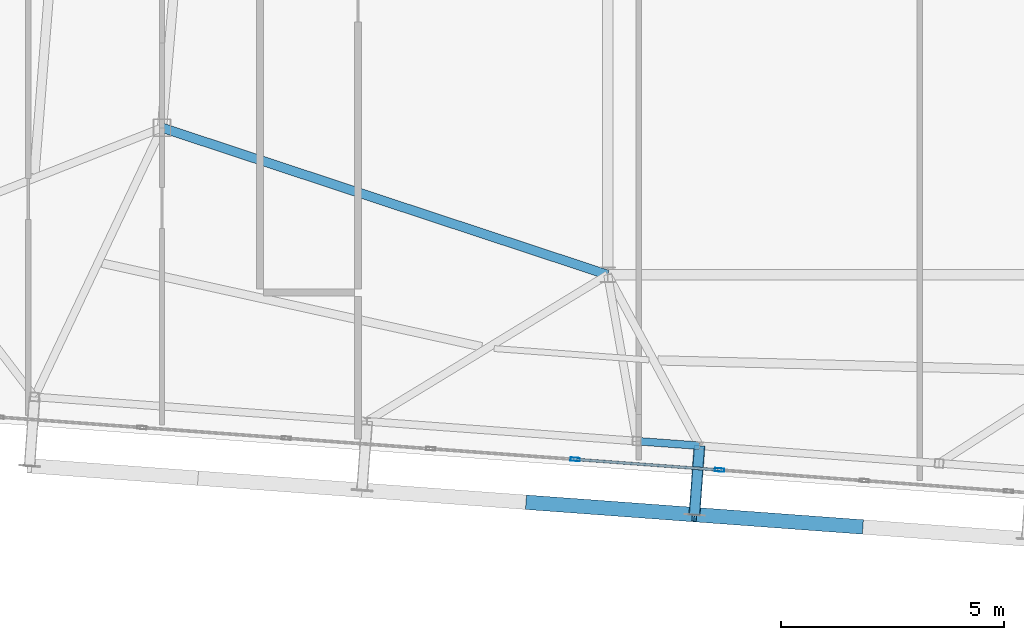
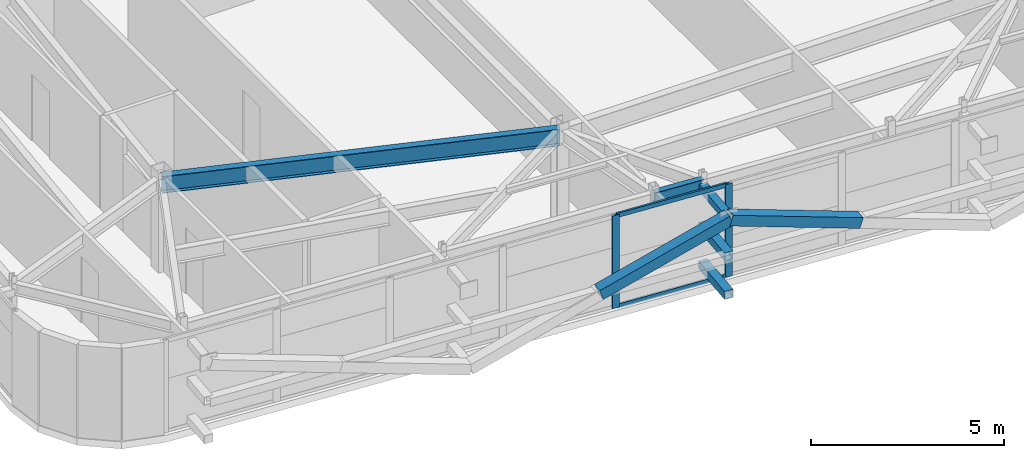
# One storey, part 12 of 42: 9 members, 2 beams, 1 element without a shape of its own.
"""IFC4 building model written with IfcOpenShell, lengths in metres."""

from ifc_helpers import new_model, si_unit, direction, frame, origin, origin_2d, place, context, subcontext, project, spatial, hollow_rectangle, i_section, extrude, source, transform, mapped, material, layer, layer_set, material_profile, profile_set, type_object, element, aggregate, save


model = new_model("IFC4")

# Units and contexts
model_context = context("Model", 3, precision=1e-05, world=origin(), true_north=direction((0.0, 1.0)))
body_context = subcontext(model_context, "Body", "Model", "MODEL_VIEW")
ifc_project = project(units=[si_unit("LENGTHUNIT", "METRE"), si_unit("AREAUNIT", "SQUARE_METRE"), si_unit("VOLUMEUNIT", "CUBIC_METRE"), si_unit("PLANEANGLEUNIT", "RADIAN"), si_unit("MASSUNIT", "GRAM", prefix="KILO")], contexts=[model_context])

# Site, building, storey
site_placement = place(None, origin())
site = spatial("IfcSite", under=ifc_project, at=site_placement, CompositionType="ELEMENT")
building_placement = place(site_placement, origin())
building = spatial("IfcBuilding", under=site, at=building_placement, Name="Taldren Reach Tower", CompositionType="ELEMENT")
storey_placement = place(building_placement, frame((0.0, 0.0, 220.85009765625)))
storey = spatial("IfcBuildingStorey", under=building, at=storey_placement, Name="L67", CompositionType="ELEMENT", Elevation=220.85009765625)

# Beam
ifc_material_1 = material(Name="Steel Gr 350 (350PLUS)", Category="steel")
ifc_material_profile_1 = material_profile(ifc_material_1, i_section(OverallWidth=0.208984375, OverallDepth=0.532958984375, WebThickness=0.01025390625, FlangeThickness=0.015625, at=origin_2d()), Name="530UB92.4")
ifc_profile_set_1 = profile_set([ifc_material_profile_1], Name="Steel Gr 350 (350PLUS)")
beam_type_1 = type_object("IfcBeamType", Name="BM-UB530A", PredefinedType="BEAM", material=ifc_profile_set_1)
shared_shape_1 = source(origin(), body_context, "Body", "SweptSolid", [
    extrude(i_section(OverallWidth=0.208984375, OverallDepth=0.532958984375, WebThickness=0.01025390625, FlangeThickness=0.015625, at=origin_2d()), origin(), (0.0, 0.0, 1.0), 10.530517578125),
])
beam_1_placement = place(storey_placement, frame((18.0, 12.5, 2.663330078125), z_axis=(0.949627269203, -0.313381635689, 0.0), x_axis=(0.313381635689, 0.949627269203, 0.0)))
element("IfcBeam", 1, at=beam_1_placement, inside=storey, type_object=beam_type_1, Name="Core-spine girder L67-SP10", PredefinedType="BEAM", context=body_context, shape_type="MappedRepresentation", body=[
    mapped(shared_shape_1, transform((0.0, 0.0, 0.0), scale=1.0)),
])

# Members
ifc_material_2 = material(Name="Steel Gr 350 (C350L0)", Category="steel")
ifc_material_profile_2 = material_profile(ifc_material_2, hollow_rectangle(XDim=0.25, YDim=0.25, WallThickness=0.010009765625, at=origin_2d()), Name="250x250x10.0SHS")
ifc_profile_set_2 = profile_set([ifc_material_profile_2], Name="Steel Gr 350 (C350L0)")
member_type_1 = type_object("IfcMemberType", Name="MB-POST250", PredefinedType="POST", material=ifc_profile_set_2)
shared_shape_2 = source(origin(), body_context, "Body", "SweptSolid", [
    extrude(hollow_rectangle(XDim=0.25, YDim=0.25, WallThickness=0.010009765625, at=origin_2d()), origin(), (0.0, 0.0, 1.0), 1.5498046875),
])
for number, where, z_axis, x_axis, name in (
    (2, (30.060546875, 5.364501953125, 0.219970703125), (-0.073250797913, -0.997313551801, 0.0), (0.997313551801, -0.073250797913, 0.0), "Exoskeleton base diaphragm tie strut B5-S3 L67"),
    (3, (30.060546875, 5.364501953125, 1.434814453125), (-0.073250797913, -0.997313551801, 0.0), (0.997313551801, -0.073250797913, 0.0), "Exoskeleton mid-tier diaphragm tie B5-S3 L67"),
):
    element("IfcMember", number, at=place(storey_placement, frame(where, z_axis=z_axis, x_axis=x_axis)), inside=storey, type_object=member_type_1, Name=name, PredefinedType="POST", context=body_context, shape_type="MappedRepresentation", body=[
        mapped(shared_shape_2, transform((0.0, 0.0, 0.0), scale=1.0)),
    ])
ifc_material_3 = material(Name="Steel Gr 450 (C450L0)", Category="steel")
ifc_material_profile_3 = material_profile(ifc_material_3, hollow_rectangle(XDim=0.219970703125, YDim=0.219970703125, WallThickness=0.00830078125, at=origin_2d()), Name="220x220x8.2SHS")
ifc_profile_set_3 = profile_set([ifc_material_profile_3], Name="Steel Gr 450 (C450L0)")
member_type_2 = type_object("IfcMemberType", Name="MB-TIE219", PredefinedType="STRUT", material=ifc_profile_set_3)
shared_shape_3 = source(origin(), body_context, "Body", "SweptSolid", [
    extrude(hollow_rectangle(XDim=0.219970703125, YDim=0.219970703125, WallThickness=0.00830078125, at=origin_2d()), origin(), (0.0, 0.0, 1.0), 1.5498046875),
])
member_1_placement = place(storey_placement, frame((30.060546875, 5.364501953125, 2.64990234375), z_axis=(-0.073250797913, -0.997313551801, 0.0), x_axis=(0.997313551801, -0.073250797913, 0.0)))
element("IfcMember", 4, at=member_1_placement, inside=storey, type_object=member_type_2, Name="Exoskeleton diaphragm tie strut B5-S3 L67", PredefinedType="STRUT", context=body_context, shape_type="MappedRepresentation", body=[
    mapped(shared_shape_3, transform((0.0, 0.0, 0.0), scale=1.0)),
])

# Beam
ifc_material_profile_4 = material_profile(ifc_material_1, i_section(OverallWidth=0.172119140625, OverallDepth=0.35888671875, WebThickness=0.008056640625, FlangeThickness=0.012939453125, at=origin_2d()), Name="360UB56.7")
ifc_profile_set_4 = profile_set([ifc_material_profile_4], Name="Steel Gr 350 (350PLUS)")
beam_type_2 = type_object("IfcBeamType", Name="SP-UB360", PredefinedType="SPANDREL", material=ifc_profile_set_4)
shared_shape_4 = source(origin(), body_context, "Body", "SweptSolid", [
    extrude(i_section(OverallWidth=0.172119140625, OverallDepth=0.35888671875, WebThickness=0.008056640625, FlangeThickness=0.012939453125, at=origin_2d()), origin(), (0.0, 0.0, 1.0), 1.41015625),
])
beam_2_placement = place(storey_placement, frame((28.654296875, 5.4677734375, 2.75048828125), z_axis=(0.997314324946, -0.073240270738, 0.0), x_axis=(0.073240270738, 0.997314324946, 0.0)))
element("IfcBeam", 5, at=beam_2_placement, inside=storey, type_object=beam_type_2, Name="Perimeter spandrel B5 PJ1-S3 L67", PredefinedType="SPANDREL", context=body_context, shape_type="MappedRepresentation", body=[
    mapped(shared_shape_4, transform((0.0, 0.0, 0.0), scale=1.0)),
])

# Members
ifc_material_profile_5 = material_profile(ifc_material_3, hollow_rectangle(XDim=0.324951171875, YDim=0.324951171875, WallThickness=0.0126953125, at=origin_2d()), Name="325x325x12.7SHS")
ifc_profile_set_5 = profile_set([ifc_material_profile_5], Name="Steel Gr 450 (C450L0)")
member_type_3 = type_object("IfcMemberType", Name="MB-BR324", PredefinedType="BRACE", material=ifc_profile_set_5)
shared_shape_5 = source(origin(), body_context, "Body", "SweptSolid", [
    extrude(hollow_rectangle(XDim=0.324951171875, YDim=0.324951171875, WallThickness=0.0126953125, at=origin_2d()), origin(), (0.0, 0.0, 1.0), 3.932373046875),
])
for number, where, z_axis, x_axis, name in (
    (6, (26.217041015625, 4.0927734375, 1.434814453125), (0.948511132845, -0.069657644394, 0.308989390507), (0.07324169103, 0.997314220642, 0.0), "Exoskeleton Diagrid Brace B5-S2 L67"),
    (7, (33.677001953125, 3.544921875, 1.434814453125), (-0.948511132845, 0.069657644394, 0.308989390507), (-0.07324169103, -0.997314220642, 0.0), "Exoskeleton Diagrid Brace B5-S3 L67"),
):
    element("IfcMember", number, at=place(storey_placement, frame(where, z_axis=z_axis, x_axis=x_axis)), inside=storey, type_object=member_type_3, Name=name, PredefinedType="BRACE", context=body_context, shape_type="MappedRepresentation", body=[
        mapped(shared_shape_5, transform((0.0, 0.0, 0.0), scale=1.0)),
    ])

# Curtain wall, members
ifc_material_4 = material(Name="Aluminium and Low-E Glass Unitised System", Category="aluminium")
ifc_layer = layer(ifc_material_4, 0.159912109375)
ifc_layer_set = layer_set([ifc_layer], Name="Aluminium and Low-E Glass Unitised System")
curtain_wall_type = type_object("IfcCurtainWallType", Name="CW-SYS-6", PredefinedType="NOTDEFINED", material=ifc_layer_set)
curtain_wall_placement = place(storey_placement, origin())
curtain_wall = element("IfcCurtainWall", 8, at=curtain_wall_placement, inside=storey, type_object=curtain_wall_type, Name="Unitised curtain wall CW-L67-S", PredefinedType="NOTDEFINED")
ifc_material_5 = material(Name="Anodised Aluminium 6063-T6", Category="aluminium")
ifc_material_profile_6 = material_profile(ifc_material_5, hollow_rectangle(XDim=0.074951171875, YDim=0.2099609375, WallThickness=0.00439453125, at=origin_2d()), Name="ALU-210x75x4.5RHS")
ifc_profile_set_6 = profile_set([ifc_material_profile_6], Name="Anodised Aluminium 6063-T6")
member_type_4 = type_object("IfcMemberType", Name="CW-MUL-200", PredefinedType="MULLION", material=ifc_profile_set_6)
shared_shape_6 = source(origin(), body_context, "Body", "SweptSolid", [
    extrude(hollow_rectangle(XDim=0.074951171875, YDim=0.2099609375, WallThickness=0.00439453125, at=origin_2d()), origin(), (0.0, 0.0, 1.0), 2.929931640625),
])
member_2_placement = place(storey_placement, frame((27.2705078125, 5.05810546875, 0.0), z_axis=(0.0, 0.0, 1.0), x_axis=(0.073238213716, 0.997314476006, 0.0)))
member_2 = element("IfcMember", 9, at=member_2_placement, type_object=member_type_4, Name="CW-6 mullion 5", PredefinedType="MULLION", context=body_context, shape_type="MappedRepresentation", body=[
    mapped(shared_shape_6, transform((0.0, 0.0, 0.0), scale=1.0)),
])
member_3_placement = place(storey_placement, frame((30.51171875, 4.820068359375, 0.0), z_axis=(0.0, 0.0, 1.0), x_axis=(0.073238213716, 0.997314476006, 0.0)))
member_3 = element("IfcMember", 10, at=member_3_placement, type_object=member_type_4, Name="CW-6 mullion 6", PredefinedType="MULLION", context=body_context, shape_type="MappedRepresentation", body=[
    mapped(shared_shape_6, transform((0.0, 0.0, 0.0), scale=1.0)),
])
ifc_material_profile_7 = material_profile(ifc_material_5, hollow_rectangle(XDim=0.06005859375, YDim=0.135009765625, WallThickness=0.00341796875, at=origin_2d()), Name="ALU-135x60x3.5RHS")
ifc_profile_set_7 = profile_set([ifc_material_profile_7], Name="Anodised Aluminium 6063-T6")
member_type_5 = type_object("IfcMemberType", Name="CW-TRN-150", PredefinedType="USERDEFINED", material=ifc_profile_set_7)
shared_shape_7 = source(origin(), body_context, "Body", "SweptSolid", [
    extrude(hollow_rectangle(XDim=0.06005859375, YDim=0.135009765625, WallThickness=0.00341796875, at=origin_2d()), origin(), (0.0, 0.0, 1.0), 3.175048828125),
])
member_4_placement = place(storey_placement, frame((27.307861328125, 5.055419921875, 0.02978515625), z_axis=(0.997311428111, -0.073279706322, 0.0), x_axis=(0.073279706322, 0.997311428111, 0.0)))
member_4 = element("IfcMember", 11, at=member_4_placement, type_object=member_type_5, Name="CW-6 transom 5.1", ObjectType="TRANSOM", PredefinedType="USERDEFINED", context=body_context, shape_type="MappedRepresentation", body=[
    mapped(shared_shape_7, transform((0.0, 0.0, 0.0), scale=1.0)),
])
member_5_placement = place(storey_placement, frame((27.307861328125, 5.055419921875, 2.89990234375), z_axis=(0.997311428111, -0.073279706322, 0.0), x_axis=(0.073279706322, 0.997311428111, 0.0)))
member_5 = element("IfcMember", 12, at=member_5_placement, type_object=member_type_5, Name="CW-6 transom 5.2", ObjectType="TRANSOM", PredefinedType="USERDEFINED", context=body_context, shape_type="MappedRepresentation", body=[
    mapped(shared_shape_7, transform((0.0, 0.0, 0.0), scale=1.0)),
])
aggregate(curtain_wall, [member_2, member_3, member_4, member_5])

save(model, "model.ifc")
